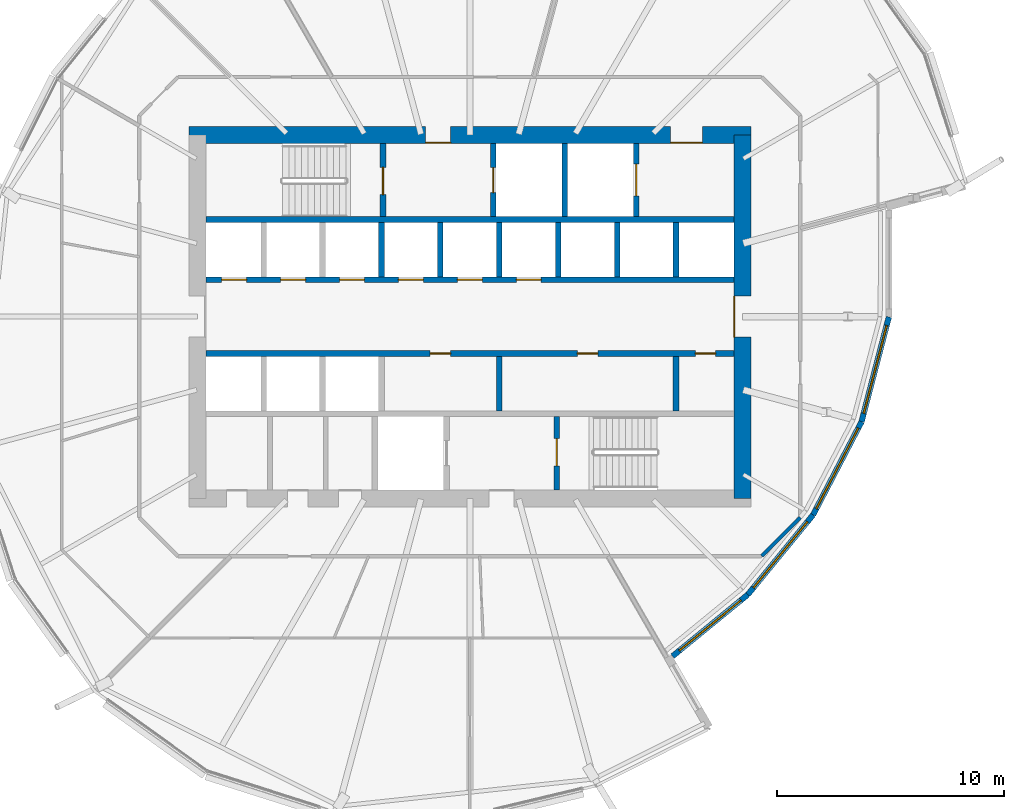
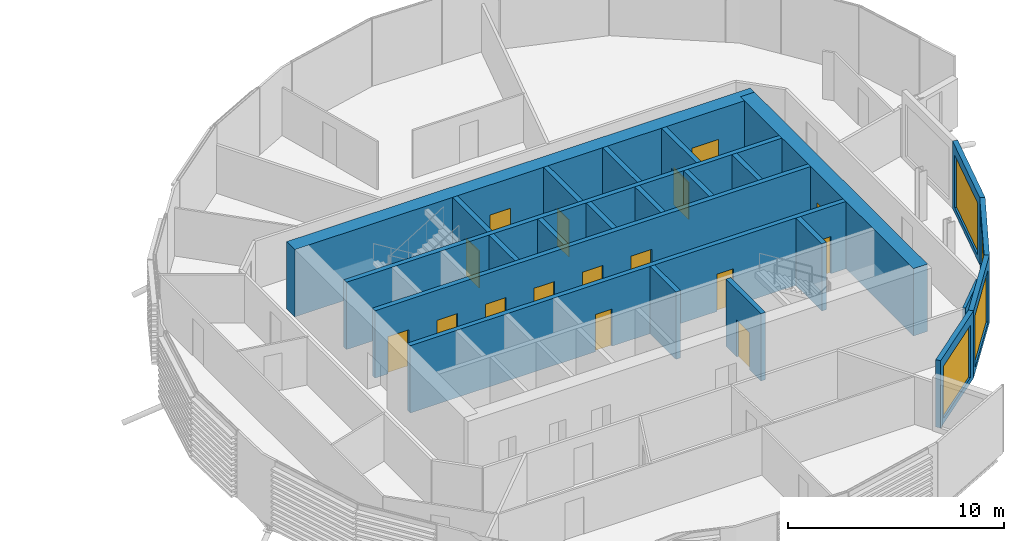
# One storey, part 25 of 38: 23 walls, 16 doors, 4 windows, 20 openings.
"""IFC4 building model written with IfcOpenShell, lengths in metres."""

from ifc_helpers import new_model, si_unit, direction, frame, frame_2d, origin, place, context, subcontext, project, spatial, rectangle, extrude, material, layer, layer_set, type_object, element, fill, save


model = new_model("IFC4")

# Units and contexts
model_context = context("Model", 3, precision=1e-05, world=origin(), true_north=direction((0.0, 1.0)))
body_context = subcontext(model_context, "Body", "Model", "MODEL_VIEW")
ifc_project = project(units=[si_unit("LENGTHUNIT", "METRE"), si_unit("AREAUNIT", "SQUARE_METRE"), si_unit("VOLUMEUNIT", "CUBIC_METRE"), si_unit("PLANEANGLEUNIT", "RADIAN"), si_unit("MASSUNIT", "GRAM", prefix="KILO")], contexts=[model_context])

# Site, building, storey
site_placement = place(None, origin())
site = spatial("IfcSite", under=ifc_project, at=site_placement, CompositionType="ELEMENT")
building_placement = place(site_placement, origin())
building = spatial("IfcBuilding", under=site, at=building_placement, Name="Rimbun Link Towers", CompositionType="ELEMENT")
storey_placement = place(building_placement, frame((0.0, 0.0, 108.199951171875)))
storey = spatial("IfcBuildingStorey", under=building, at=storey_placement, Name="L26", CompositionType="ELEMENT", Elevation=108.199951171875)

# Wall, opening, window
ifc_material_1 = material(Name="Dark enamelled glass spandrel on insulated aluminium backpan", Category="aluminium")
ifc_layer_1 = layer(ifc_material_1, 0.25)
ifc_layer_set_1 = layer_set([ifc_layer_1], Name="CS dark enamelled spandrel wall 250")
wall_type_1 = type_object("IfcWallType", Name="CS dark enamelled spandrel wall 250", PredefinedType="STANDARD", material=ifc_layer_set_1)
wall_1_placement = place(storey_placement, frame((43.99267578125, -12.24267578125, 0.0), z_axis=(0.0, 0.0, 1.0), x_axis=(-0.773876104607, -0.633337015117, 0.0)))
wall_1 = element("IfcWall", 1, at=wall_1_placement, inside=storey, type_object=wall_type_1, Name="Crease spandrel wall", PredefinedType="STANDARD", context=body_context, shape_type="SweptSolid", body=[
    extrude(rectangle(XDim=4.287353515625, YDim=0.25, at=frame_2d((2.1435546875, 0.0))), origin(), (0.0, 0.0, 1.0), 3.800048828125),
])
opening_1_placement = place(wall_1_placement, frame((0.393798828125, 0.0, 0.300048828125)))
opening_1 = element("IfcOpeningElement", 2, at=opening_1_placement, cuts=wall_1, Name="Opening WR35H295", PredefinedType="OPENING", context=body_context, shape_type="SweptSolid", body=[
    extrude(rectangle(XDim=3.5, YDim=2.949951171875, at=frame_2d((1.75, 1.47509765625))), frame((0.0, 0.135009765625, 0.0), z_axis=(0.0, -1.0, 0.0), x_axis=(1.0, 0.0, 0.0)), (0.0, 0.0, 1.0), 0.27001953125),
])
ifc_material_2 = material(Name="Aluminium framed fixed window, dark tinted low-e glass", Category="aluminium")
window_type_1 = type_object("IfcWindowType", Name="WR ribbon window 3500X2950", PartitioningType="SINGLE_PANEL", PredefinedType="WINDOW", material=ifc_material_2)
window_1_placement = place(opening_1_placement, origin())
window_1 = element("IfcWindow", 3, at=window_1_placement, inside=storey, type_object=window_type_1, Name="Crease ribbon window", OverallHeight=2.949951171875, OverallWidth=3.5, PartitioningType="SINGLE_PANEL", PredefinedType="WINDOW", context=body_context, shape_type="SweptSolid", body=[
    extrude(rectangle(XDim=3.5, YDim=2.949951171875, at=frame_2d((1.75, 1.47509765625))), frame((0.0, 0.030029296875, 0.0), z_axis=(0.0, -1.0, 0.0), x_axis=(1.0, 0.0, 0.0)), (0.0, 0.0, 1.0), 0.06005859375),
])
fill(opening_1, window_1)

wall_2_placement = place(storey_placement, frame((46.86376953125, -8.734619140625, 0.0), z_axis=(0.0, 0.0, 1.0), x_axis=(-0.6333521617, -0.773863708459, 0.0)))
wall_2 = element("IfcWall", 4, at=wall_2_placement, inside=storey, type_object=wall_type_1, Name="Crease spandrel wall", PredefinedType="STANDARD", context=body_context, shape_type="SweptSolid", body=[
    extrude(rectangle(XDim=4.533203125, YDim=0.25, at=frame_2d((2.2666015625, 0.0))), origin(), (0.0, 0.0, 1.0), 3.800048828125),
])
opening_2_placement = place(wall_2_placement, frame((0.3916015625, 0.0, 0.300048828125)))
opening_2 = element("IfcOpeningElement", 5, at=opening_2_placement, cuts=wall_2, Name="Opening WR38H295", PredefinedType="OPENING", context=body_context, shape_type="SweptSolid", body=[
    extrude(rectangle(XDim=3.75, YDim=2.949951171875, at=frame_2d((1.875, 1.47509765625))), frame((0.0, 0.135009765625, 0.0), z_axis=(0.0, -1.0, 0.0), x_axis=(1.0, 0.0, 0.0)), (0.0, 0.0, 1.0), 0.27001953125),
])
ifc_material_3 = material(Name="Aluminium framed fixed window, dark tinted low-e glass", Category="aluminium")
window_type_2 = type_object("IfcWindowType", Name="WR ribbon window 3750X2950", PartitioningType="SINGLE_PANEL", PredefinedType="WINDOW", material=ifc_material_3)
window_2_placement = place(opening_2_placement, origin())
window_2 = element("IfcWindow", 6, at=window_2_placement, inside=storey, type_object=window_type_2, Name="Crease ribbon window", OverallHeight=2.949951171875, OverallWidth=3.75, PartitioningType="SINGLE_PANEL", PredefinedType="WINDOW", context=body_context, shape_type="SweptSolid", body=[
    extrude(rectangle(XDim=3.75, YDim=2.949951171875, at=frame_2d((1.875, 1.47509765625))), frame((0.0, 0.030029296875, 0.0), z_axis=(0.0, -1.0, 0.0), x_axis=(1.0, 0.0, 0.0)), (0.0, 0.0, 1.0), 0.06005859375),
])
fill(opening_2, window_2)

wall_3_placement = place(storey_placement, frame((48.9990234375, -4.6357421875, 0.0), z_axis=(0.0, 0.0, 1.0), x_axis=(-0.462006269237, -0.886876658384, 0.0)))
wall_3 = element("IfcWall", 7, at=wall_3_placement, inside=storey, type_object=wall_type_1, Name="Crease spandrel wall", PredefinedType="STANDARD", context=body_context, shape_type="SweptSolid", body=[
    extrude(rectangle(XDim=4.62158203125, YDim=0.25, at=frame_2d((2.310791015625, 0.0))), origin(), (0.0, 0.0, 1.0), 3.800048828125),
])
opening_3_placement = place(wall_3_placement, frame((0.310791015625, 0.0, 0.300048828125)))
opening_3 = element("IfcOpeningElement", 8, at=opening_3_placement, cuts=wall_3, Name="Opening WR40H295", PredefinedType="OPENING", context=body_context, shape_type="SweptSolid", body=[
    extrude(rectangle(XDim=4.0, YDim=2.949951171875, at=frame_2d((2.0, 1.47509765625))), frame((0.0, 0.135009765625, 0.0), z_axis=(0.0, -1.0, 0.0), x_axis=(1.0, 0.0, 0.0)), (0.0, 0.0, 1.0), 0.27001953125),
])
ifc_material_4 = material(Name="Aluminium framed fixed window, dark tinted low-e glass", Category="aluminium")
window_type_3 = type_object("IfcWindowType", Name="WR ribbon window 4000X2950", PartitioningType="SINGLE_PANEL", PredefinedType="WINDOW", material=ifc_material_4)
window_3_placement = place(opening_3_placement, origin())
window_3 = element("IfcWindow", 9, at=window_3_placement, inside=storey, type_object=window_type_3, Name="Crease ribbon window", OverallHeight=2.949951171875, OverallWidth=4.0, PartitioningType="SINGLE_PANEL", PredefinedType="WINDOW", context=body_context, shape_type="SweptSolid", body=[
    extrude(rectangle(XDim=4.0, YDim=2.949951171875, at=frame_2d((2.0, 1.47509765625))), frame((0.0, 0.030029296875, 0.0), z_axis=(0.0, -1.0, 0.0), x_axis=(1.0, 0.0, 0.0)), (0.0, 0.0, 1.0), 0.06005859375),
])
fill(opening_3, window_3)

wall_4_placement = place(storey_placement, frame((50.20458984375, -0.01611328125, 0.0), z_axis=(0.0, 0.0, 1.0), x_axis=(-0.252509325017, -0.967594460908, 0.0)))
wall_4 = element("IfcWall", 10, at=wall_4_placement, inside=storey, type_object=wall_type_1, Name="Crease spandrel wall", PredefinedType="STANDARD", context=body_context, shape_type="SweptSolid", body=[
    extrude(rectangle(XDim=4.7744140625, YDim=0.25, at=frame_2d((2.38720703125, 0.0))), origin(), (0.0, 0.0, 1.0), 3.800048828125),
])
opening_4_placement = place(wall_4_placement, frame((0.38720703125, 0.0, 0.300048828125)))
opening_4 = element("IfcOpeningElement", 11, at=opening_4_placement, cuts=wall_4, Name="Opening WR40H295", PredefinedType="OPENING", context=body_context, shape_type="SweptSolid", body=[
    extrude(rectangle(XDim=4.0, YDim=2.949951171875, at=frame_2d((2.0, 1.47509765625))), frame((0.0, 0.135009765625, 0.0), z_axis=(0.0, -1.0, 0.0), x_axis=(1.0, 0.0, 0.0)), (0.0, 0.0, 1.0), 0.27001953125),
])
window_4_placement = place(opening_4_placement, origin())
window_4 = element("IfcWindow", 12, at=window_4_placement, inside=storey, type_object=window_type_3, Name="Crease ribbon window", OverallHeight=2.949951171875, OverallWidth=4.0, PartitioningType="SINGLE_PANEL", PredefinedType="WINDOW", context=body_context, shape_type="SweptSolid", body=[
    extrude(rectangle(XDim=4.0, YDim=2.949951171875, at=frame_2d((2.0, 1.47509765625))), frame((0.0, 0.030029296875, 0.0), z_axis=(0.0, -1.0, 0.0), x_axis=(1.0, 0.0, 0.0)), (0.0, 0.0, 1.0), 0.06005859375),
])
fill(opening_4, window_4)

# Wall, openings, doors
ifc_material_5 = material(Name="Concrete C60/75", Category="concrete")
ifc_layer_2 = layer(ifc_material_5, 0.75)
ifc_layer_set_2 = layer_set([ifc_layer_2], Name="Core shear wall 750")
wall_type_2 = type_object("IfcWallType", Name="Core shear wall 750", PredefinedType="SHEAR", material=ifc_layer_set_2)
wall_5_placement = place(storey_placement, frame((19.375, 8.0, 0.0), z_axis=(0.0, 0.0, 1.0), x_axis=(1.0, 0.0, 0.0)))
wall_5 = element("IfcWall", 13, at=wall_5_placement, inside=storey, type_object=wall_type_2, Name="L26 T2 core wall N", PredefinedType="SHEAR", context=body_context, shape_type="SweptSolid", body=[
    extrude(rectangle(XDim=24.75, YDim=0.75, at=frame_2d((12.375, 0.0))), origin(), (0.0, 0.0, 1.0), 3.800048828125),
])
opening_5_placement = place(wall_5_placement, frame((10.425048828125, 0.0, 0.0)))
opening_5 = element("IfcOpeningElement", 14, at=opening_5_placement, cuts=wall_5, Name="Opening C2DCF01N", PredefinedType="OPENING", context=body_context, shape_type="SweptSolid", body=[
    extrude(rectangle(XDim=1.10009765625, YDim=2.10009765625, at=frame_2d((0.550048828125, 1.050048828125))), frame((0.0, 0.385009765625, 0.0), z_axis=(0.0, -1.0, 0.0), x_axis=(1.0, 0.0, 0.0)), (0.0, 0.0, 1.0), 0.77001953125),
])
opening_6_placement = place(wall_5_placement, frame((21.21240234375, 0.0, 0.0)))
opening_6 = element("IfcOpeningElement", 15, at=opening_6_placement, cuts=wall_5, Name="Opening C2DSL02N", PredefinedType="OPENING", context=body_context, shape_type="SweptSolid", body=[
    extrude(rectangle(XDim=1.39990234375, YDim=2.10009765625, at=frame_2d((0.699951171875, 1.050048828125))), frame((0.0, 0.385009765625, 0.0), z_axis=(0.0, -1.0, 0.0), x_axis=(1.0, 0.0, 0.0)), (0.0, 0.0, 1.0), 0.77001953125),
])
ifc_material_6 = material(Name="Steel fire door set", Category="steel")
door_type_1 = type_object("IfcDoorType", Name="Core fire door single", OperationType="SINGLE_SWING_LEFT", PredefinedType="DOOR", material=ifc_material_6)
door_1_placement = place(opening_5_placement, origin())
door_1 = element("IfcDoor", 16, at=door_1_placement, inside=storey, type_object=door_type_1, Name="L26 T2 firefighting lobby n door", OperationType="SINGLE_SWING_RIGHT", OverallHeight=2.10009765625, OverallWidth=1.10009765625, PredefinedType="DOOR", context=body_context, shape_type="SweptSolid", body=[
    extrude(rectangle(XDim=1.10009765625, YDim=2.10009765625, at=frame_2d((0.550048828125, 1.050048828125))), frame((0.0, -0.3251953125, 0.0), z_axis=(0.0, -1.0, 0.0), x_axis=(1.0, 0.0, 0.0)), (0.0, 0.0, 1.0), 0.050048828125),
])
fill(opening_5, door_1)
ifc_material_7 = material(Name="Steel fire door set", Category="steel")
door_type_2 = type_object("IfcDoorType", Name="Service lobby door double", OperationType="DOUBLE_DOOR_SINGLE_SWING", PredefinedType="DOOR", material=ifc_material_7)
door_2_placement = place(opening_6_placement, origin())
door_2 = element("IfcDoor", 17, at=door_2_placement, inside=storey, type_object=door_type_2, Name="L26 T2 service lobby door", OperationType="DOUBLE_DOOR_SINGLE_SWING", OverallHeight=2.10009765625, OverallWidth=1.39990234375, PredefinedType="DOOR", context=body_context, shape_type="SweptSolid", body=[
    extrude(rectangle(XDim=1.39990234375, YDim=2.10009765625, at=frame_2d((0.699951171875, 1.050048828125))), frame((0.0, -0.3251953125, 0.0), z_axis=(0.0, -1.0, 0.0), x_axis=(1.0, 0.0, 0.0)), (0.0, 0.0, 1.0), 0.050048828125),
])
fill(opening_6, door_2)

# Wall, opening, door
wall_6_placement = place(storey_placement, frame((43.75, -8.0, 0.0), z_axis=(0.0, 0.0, 1.0), x_axis=(0.0, 1.0, 0.0)))
wall_6 = element("IfcWall", 18, at=wall_6_placement, inside=storey, type_object=wall_type_2, Name="L26 T2 core wall E", PredefinedType="SHEAR", context=body_context, shape_type="SweptSolid", body=[
    extrude(rectangle(XDim=16.0, YDim=0.75, at=frame_2d((8.0, 0.0))), origin(), (0.0, 0.0, 1.0), 3.800048828125),
])
opening_7_placement = place(wall_6_placement, frame((7.10009765625, 0.0, 0.0)))
opening_7 = element("IfcOpeningElement", 19, at=opening_7_placement, cuts=wall_6, Name="Opening C2DCL01E", PredefinedType="OPENING", context=body_context, shape_type="SweptSolid", body=[
    extrude(rectangle(XDim=1.800048828125, YDim=2.10009765625, at=frame_2d((0.89990234375, 1.050048828125))), frame((0.0, 0.385009765625, 0.0), z_axis=(0.0, -1.0, 0.0), x_axis=(1.0, 0.0, 0.0)), (0.0, 0.0, 1.0), 0.77001953125),
])
ifc_material_8 = material(Name="Steel fire door set", Category="steel")
door_type_3 = type_object("IfcDoorType", Name="Core lobby door double", OperationType="DOUBLE_DOOR_SINGLE_SWING", PredefinedType="DOOR", material=ifc_material_8)
door_3_placement = place(opening_7_placement, origin())
door_3 = element("IfcDoor", 20, at=door_3_placement, inside=storey, type_object=door_type_3, Name="L26 T2 lift lobby door", OperationType="DOUBLE_DOOR_SINGLE_SWING", OverallHeight=2.10009765625, OverallWidth=1.800048828125, PredefinedType="DOOR", context=body_context, shape_type="SweptSolid", body=[
    extrude(rectangle(XDim=1.800048828125, YDim=2.10009765625, at=frame_2d((0.89990234375, 1.050048828125))), frame((0.0, 0.375, 0.0), z_axis=(0.0, -1.0, 0.0), x_axis=(1.0, 0.0, 0.0)), (0.0, 0.0, 1.0), 0.050048828125),
])
fill(opening_7, door_3)

# Walls
ifc_material_9 = material(Name="Plasterboard on steel stud, mineral wool", Category="steel")
ifc_layer_3 = layer(ifc_material_9, 0.14990234375)
ifc_layer_set_3 = layer_set([ifc_layer_3], Name="Corridor wall EI 30 150 mm")
wall_type_3 = type_object("IfcWallType", Name="Corridor wall EI 30 150 mm", PredefinedType="PARTITIONING", material=ifc_layer_set_3)
wall_7_placement = place(storey_placement, frame((44.601806640625, -10.550048828125, 0.0), z_axis=(0.0, 0.0, 1.0), x_axis=(0.707106781187, 0.707106781187, 0.0)))
element("IfcWall", 21, at=wall_7_placement, inside=storey, type_object=wall_type_3, Name="Corridor wall EI 30 150 mm", PredefinedType="PARTITIONING", context=body_context, shape_type="SweptSolid", body=[
    extrude(rectangle(XDim=2.401611328125, YDim=0.14990234375, at=frame_2d((1.20068359375, 0.0))), origin(), (0.0, 0.0, 1.0), 2.7021484375),
])
ifc_material_10 = material(Name="Concrete C60/75", Category="concrete")
ifc_layer_4 = layer(ifc_material_10, 0.25)
ifc_layer_set_4 = layer_set([ifc_layer_4], Name="Shaft wall 250")
wall_type_4 = type_object("IfcWallType", Name="Shaft wall 250", PredefinedType="SHEAR", material=ifc_layer_set_4)
wall_8_placement = place(storey_placement, frame((20.125, 4.27490234375, 0.0), z_axis=(0.0, 0.0, 1.0), x_axis=(1.0, 0.0, 0.0)))
element("IfcWall", 22, at=wall_8_placement, inside=storey, type_object=wall_type_4, Name="L26 T2 core wall BN", PredefinedType="SHEAR", context=body_context, shape_type="SweptSolid", body=[
    extrude(rectangle(XDim=23.25, YDim=0.25, at=frame_2d((11.625, 0.0))), origin(), (0.0, 0.0, 1.0), 3.800048828125),
])

# Wall, openings, doors
wall_9_placement = place(storey_placement, frame((20.125, 1.625, 0.0), z_axis=(0.0, 0.0, 1.0), x_axis=(1.0, 0.0, 0.0)))
wall_9 = element("IfcWall", 23, at=wall_9_placement, inside=storey, type_object=wall_type_4, Name="L26 T2 core wall FN", PredefinedType="SHEAR", context=body_context, shape_type="SweptSolid", body=[
    extrude(rectangle(XDim=23.25, YDim=0.25, at=frame_2d((11.625, 0.0))), origin(), (0.0, 0.0, 1.0), 3.800048828125),
])
opening_8_placement = place(wall_9_placement, frame((0.697265625, 0.0, 0.0)))
opening_8 = element("IfcOpeningElement", 24, at=opening_8_placement, cuts=wall_9, Name="Opening LD-T2-LR1", PredefinedType="OPENING", context=body_context, shape_type="SweptSolid", body=[
    extrude(rectangle(XDim=1.10009765625, YDim=2.10009765625, at=frame_2d((0.550048828125, 1.050048828125))), frame((0.0, 0.135009765625, 0.0), z_axis=(0.0, -1.0, 0.0), x_axis=(1.0, 0.0, 0.0)), (0.0, 0.0, 1.0), 0.27001953125),
])
opening_9_placement = place(wall_9_placement, frame((3.291748046875, 0.0, 0.0)))
opening_9 = element("IfcOpeningElement", 25, at=opening_9_placement, cuts=wall_9, Name="Opening LD-T2-LR2", PredefinedType="OPENING", context=body_context, shape_type="SweptSolid", body=[
    extrude(rectangle(XDim=1.10009765625, YDim=2.10009765625, at=frame_2d((0.550048828125, 1.050048828125))), frame((0.0, 0.135009765625, 0.0), z_axis=(0.0, -1.0, 0.0), x_axis=(1.0, 0.0, 0.0)), (0.0, 0.0, 1.0), 0.27001953125),
])
opening_10_placement = place(wall_9_placement, frame((5.885986328125, 0.0, 0.0)))
opening_10 = element("IfcOpeningElement", 26, at=opening_10_placement, cuts=wall_9, Name="Opening LD-T2-LR3", PredefinedType="OPENING", context=body_context, shape_type="SweptSolid", body=[
    extrude(rectangle(XDim=1.10009765625, YDim=2.10009765625, at=frame_2d((0.550048828125, 1.050048828125))), frame((0.0, 0.135009765625, 0.0), z_axis=(0.0, -1.0, 0.0), x_axis=(1.0, 0.0, 0.0)), (0.0, 0.0, 1.0), 0.27001953125),
])
opening_11_placement = place(wall_9_placement, frame((8.480712890625, 0.0, 0.0)))
opening_11 = element("IfcOpeningElement", 27, at=opening_11_placement, cuts=wall_9, Name="Opening LD-T2-LR4", PredefinedType="OPENING", context=body_context, shape_type="SweptSolid", body=[
    extrude(rectangle(XDim=1.10009765625, YDim=2.10009765625, at=frame_2d((0.550048828125, 1.050048828125))), frame((0.0, 0.135009765625, 0.0), z_axis=(0.0, -1.0, 0.0), x_axis=(1.0, 0.0, 0.0)), (0.0, 0.0, 1.0), 0.27001953125),
])
opening_12_placement = place(wall_9_placement, frame((11.074951171875, 0.0, 0.0)))
opening_12 = element("IfcOpeningElement", 28, at=opening_12_placement, cuts=wall_9, Name="Opening LD-T2-LR5", PredefinedType="OPENING", context=body_context, shape_type="SweptSolid", body=[
    extrude(rectangle(XDim=1.10009765625, YDim=2.10009765625, at=frame_2d((0.550048828125, 1.050048828125))), frame((0.0, 0.135009765625, 0.0), z_axis=(0.0, -1.0, 0.0), x_axis=(1.0, 0.0, 0.0)), (0.0, 0.0, 1.0), 0.27001953125),
])
opening_13_placement = place(wall_9_placement, frame((13.66943359375, 0.0, 0.0)))
opening_13 = element("IfcOpeningElement", 29, at=opening_13_placement, cuts=wall_9, Name="Opening LD-T2-LR6", PredefinedType="OPENING", context=body_context, shape_type="SweptSolid", body=[
    extrude(rectangle(XDim=1.10009765625, YDim=2.10009765625, at=frame_2d((0.550048828125, 1.050048828125))), frame((0.0, 0.135009765625, 0.0), z_axis=(0.0, -1.0, 0.0), x_axis=(1.0, 0.0, 0.0)), (0.0, 0.0, 1.0), 0.27001953125),
])
ifc_material_11 = material(Name="Stainless steel grade 316", Category="steel")
door_type_4 = type_object("IfcDoorType", Name="Lift landing door", OperationType="DOUBLE_DOOR_SLIDING", PredefinedType="DOOR", material=ifc_material_11)
door_4_placement = place(opening_8_placement, origin())
door_4 = element("IfcDoor", 30, at=door_4_placement, inside=storey, type_object=door_type_4, Name="L26 T2 lift LR1 landing door", OperationType="DOUBLE_DOOR_SLIDING", OverallHeight=2.10009765625, OverallWidth=1.10009765625, PredefinedType="DOOR", context=body_context, shape_type="SweptSolid", body=[
    extrude(rectangle(XDim=1.10009765625, YDim=2.10009765625, at=frame_2d((0.550048828125, 1.050048828125))), frame((0.0, 0.02490234375, 0.0), z_axis=(0.0, -1.0, 0.0), x_axis=(1.0, 0.0, 0.0)), (0.0, 0.0, 1.0), 0.050048828125),
])
fill(opening_8, door_4)
door_5_placement = place(opening_9_placement, origin())
door_5 = element("IfcDoor", 31, at=door_5_placement, inside=storey, type_object=door_type_4, Name="L26 T2 lift LR2 landing door", OperationType="DOUBLE_DOOR_SLIDING", OverallHeight=2.10009765625, OverallWidth=1.10009765625, PredefinedType="DOOR", context=body_context, shape_type="SweptSolid", body=[
    extrude(rectangle(XDim=1.10009765625, YDim=2.10009765625, at=frame_2d((0.550048828125, 1.050048828125))), frame((0.0, 0.02490234375, 0.0), z_axis=(0.0, -1.0, 0.0), x_axis=(1.0, 0.0, 0.0)), (0.0, 0.0, 1.0), 0.050048828125),
])
fill(opening_9, door_5)
door_6_placement = place(opening_10_placement, origin())
door_6 = element("IfcDoor", 32, at=door_6_placement, inside=storey, type_object=door_type_4, Name="L26 T2 lift LR3 landing door", OperationType="DOUBLE_DOOR_SLIDING", OverallHeight=2.10009765625, OverallWidth=1.10009765625, PredefinedType="DOOR", context=body_context, shape_type="SweptSolid", body=[
    extrude(rectangle(XDim=1.10009765625, YDim=2.10009765625, at=frame_2d((0.550048828125, 1.050048828125))), frame((0.0, 0.02490234375, 0.0), z_axis=(0.0, -1.0, 0.0), x_axis=(1.0, 0.0, 0.0)), (0.0, 0.0, 1.0), 0.050048828125),
])
fill(opening_10, door_6)
door_7_placement = place(opening_11_placement, origin())
door_7 = element("IfcDoor", 33, at=door_7_placement, inside=storey, type_object=door_type_4, Name="L26 T2 lift LR4 landing door", OperationType="DOUBLE_DOOR_SLIDING", OverallHeight=2.10009765625, OverallWidth=1.10009765625, PredefinedType="DOOR", context=body_context, shape_type="SweptSolid", body=[
    extrude(rectangle(XDim=1.10009765625, YDim=2.10009765625, at=frame_2d((0.550048828125, 1.050048828125))), frame((0.0, 0.02490234375, 0.0), z_axis=(0.0, -1.0, 0.0), x_axis=(1.0, 0.0, 0.0)), (0.0, 0.0, 1.0), 0.050048828125),
])
fill(opening_11, door_7)
door_8_placement = place(opening_12_placement, origin())
door_8 = element("IfcDoor", 34, at=door_8_placement, inside=storey, type_object=door_type_4, Name="L26 T2 lift LR5 landing door", OperationType="DOUBLE_DOOR_SLIDING", OverallHeight=2.10009765625, OverallWidth=1.10009765625, PredefinedType="DOOR", context=body_context, shape_type="SweptSolid", body=[
    extrude(rectangle(XDim=1.10009765625, YDim=2.10009765625, at=frame_2d((0.550048828125, 1.050048828125))), frame((0.0, 0.02490234375, 0.0), z_axis=(0.0, -1.0, 0.0), x_axis=(1.0, 0.0, 0.0)), (0.0, 0.0, 1.0), 0.050048828125),
])
fill(opening_12, door_8)
door_9_placement = place(opening_13_placement, origin())
door_9 = element("IfcDoor", 35, at=door_9_placement, inside=storey, type_object=door_type_4, Name="L26 T2 lift LR6 landing door", OperationType="DOUBLE_DOOR_SLIDING", OverallHeight=2.10009765625, OverallWidth=1.10009765625, PredefinedType="DOOR", context=body_context, shape_type="SweptSolid", body=[
    extrude(rectangle(XDim=1.10009765625, YDim=2.10009765625, at=frame_2d((0.550048828125, 1.050048828125))), frame((0.0, 0.02490234375, 0.0), z_axis=(0.0, -1.0, 0.0), x_axis=(1.0, 0.0, 0.0)), (0.0, 0.0, 1.0), 0.050048828125),
])
fill(opening_13, door_9)

wall_10_placement = place(storey_placement, frame((20.125, -1.625, 0.0), z_axis=(0.0, 0.0, 1.0), x_axis=(1.0, 0.0, 0.0)))
wall_10 = element("IfcWall", 36, at=wall_10_placement, inside=storey, type_object=wall_type_4, Name="L26 T2 core wall FS", PredefinedType="SHEAR", context=body_context, shape_type="SweptSolid", body=[
    extrude(rectangle(XDim=23.25, YDim=0.25, at=frame_2d((11.625, 0.0))), origin(), (0.0, 0.0, 1.0), 3.800048828125),
])
opening_14_placement = place(wall_10_placement, frame((9.877685546875, 0.0, 0.0)))
opening_14 = element("IfcOpeningElement", 37, at=opening_14_placement, cuts=wall_10, Name="Opening C2DRS01FS", PredefinedType="OPENING", context=body_context, shape_type="SweptSolid", body=[
    extrude(rectangle(XDim=0.89990234375, YDim=2.10009765625, at=frame_2d((0.449951171875, 1.050048828125))), frame((0.0, 0.135009765625, 0.0), z_axis=(0.0, -1.0, 0.0), x_axis=(1.0, 0.0, 0.0)), (0.0, 0.0, 1.0), 0.27001953125),
])
opening_15_placement = place(wall_10_placement, frame((16.364013671875, 0.0, 0.0)))
opening_15 = element("IfcOpeningElement", 38, at=opening_15_placement, cuts=wall_10, Name="Opening C2DRS02FS", PredefinedType="OPENING", context=body_context, shape_type="SweptSolid", body=[
    extrude(rectangle(XDim=0.89990234375, YDim=2.10009765625, at=frame_2d((0.449951171875, 1.050048828125))), frame((0.0, 0.135009765625, 0.0), z_axis=(0.0, -1.0, 0.0), x_axis=(1.0, 0.0, 0.0)), (0.0, 0.0, 1.0), 0.27001953125),
])
opening_16_placement = place(wall_10_placement, frame((21.552734375, 0.0, 0.0)))
opening_16 = element("IfcOpeningElement", 39, at=opening_16_placement, cuts=wall_10, Name="Opening C2DRS03FS", PredefinedType="OPENING", context=body_context, shape_type="SweptSolid", body=[
    extrude(rectangle(XDim=0.89990234375, YDim=2.10009765625, at=frame_2d((0.449951171875, 1.050048828125))), frame((0.0, 0.135009765625, 0.0), z_axis=(0.0, -1.0, 0.0), x_axis=(1.0, 0.0, 0.0)), (0.0, 0.0, 1.0), 0.27001953125),
])
ifc_material_12 = material(Name="Steel fire door set", Category="steel")
door_type_5 = type_object("IfcDoorType", Name="Core riser door", OperationType="SINGLE_SWING_LEFT", PredefinedType="DOOR", material=ifc_material_12)
door_10_placement = place(opening_14_placement, origin())
door_10 = element("IfcDoor", 40, at=door_10_placement, inside=storey, type_object=door_type_5, Name="L26 T2 pantry door", OperationType="SINGLE_SWING_LEFT", OverallHeight=2.10009765625, OverallWidth=0.89990234375, PredefinedType="DOOR", context=body_context, shape_type="SweptSolid", body=[
    extrude(rectangle(XDim=0.89990234375, YDim=2.10009765625, at=frame_2d((0.449951171875, 1.050048828125))), frame((0.0, 0.02490234375, 0.0), z_axis=(0.0, -1.0, 0.0), x_axis=(1.0, 0.0, 0.0)), (0.0, 0.0, 1.0), 0.050048828125),
])
fill(opening_14, door_10)
door_11_placement = place(opening_15_placement, origin())
door_11 = element("IfcDoor", 41, at=door_11_placement, inside=storey, type_object=door_type_5, Name="L26 T2 wellness room door", OperationType="SINGLE_SWING_RIGHT", OverallHeight=2.10009765625, OverallWidth=0.89990234375, PredefinedType="DOOR", context=body_context, shape_type="SweptSolid", body=[
    extrude(rectangle(XDim=0.89990234375, YDim=2.10009765625, at=frame_2d((0.449951171875, 1.050048828125))), frame((0.0, 0.02490234375, 0.0), z_axis=(0.0, -1.0, 0.0), x_axis=(1.0, 0.0, 0.0)), (0.0, 0.0, 1.0), 0.050048828125),
])
fill(opening_15, door_11)
door_12_placement = place(opening_16_placement, origin())
door_12 = element("IfcDoor", 42, at=door_12_placement, inside=storey, type_object=door_type_5, Name="L26 T2 staff store door", OperationType="SINGLE_SWING_LEFT", OverallHeight=2.10009765625, OverallWidth=0.89990234375, PredefinedType="DOOR", context=body_context, shape_type="SweptSolid", body=[
    extrude(rectangle(XDim=0.89990234375, YDim=2.10009765625, at=frame_2d((0.449951171875, 1.050048828125))), frame((0.0, 0.02490234375, 0.0), z_axis=(0.0, -1.0, 0.0), x_axis=(1.0, 0.0, 0.0)), (0.0, 0.0, 1.0), 0.050048828125),
])
fill(opening_16, door_12)

# Walls
for number, where, z_axis, x_axis, name in (
    (43, (27.8583984375, 1.75, 0.0), (0.0, 0.0, 1.0), (0.0, 1.0, 0.0), "L26 T2 core wall DN2"),
    (44, (30.452880859375, 1.75, 0.0), (0.0, 0.0, 1.0), (0.0, 1.0, 0.0), "L26 T2 core wall DN3"),
    (45, (33.047119140625, 1.75, 0.0), (0.0, 0.0, 1.0), (0.0, 1.0, 0.0), "L26 T2 core wall DN4"),
    (46, (35.6416015625, 1.75, 0.0), (0.0, 0.0, 1.0), (0.0, 1.0, 0.0), "L26 T2 core wall DN5"),
    (47, (38.236083984375, 1.75, 0.0), (0.0, 0.0, 1.0), (0.0, 1.0, 0.0), "L26 T2 core wall DN6"),
    (48, (40.83056640625, 1.75, 0.0), (0.0, 0.0, 1.0), (0.0, 1.0, 0.0), "L26 T2 core wall DN7"),
    (49, (33.047119140625, -4.14990234375, 0.0), (0.0, 0.0, 1.0), (0.0, 1.0, 0.0), "L26 T2 core wall DS4"),
    (50, (40.83056640625, -4.14990234375, 0.0), (0.0, 0.0, 1.0), (0.0, 1.0, 0.0), "L26 T2 core wall DS7"),
):
    element("IfcWall", number, at=place(storey_placement, frame(where, z_axis=z_axis, x_axis=x_axis)), inside=storey, type_object=wall_type_4, Name=name, PredefinedType="SHEAR", context=body_context, shape_type="SweptSolid", body=[
        extrude(rectangle(XDim=2.39990234375, YDim=0.25, at=frame_2d((1.199951171875, 0.0))), origin(), (0.0, 0.0, 1.0), 3.800048828125),
    ])

# Wall, opening, door
wall_11_placement = place(storey_placement, frame((27.925048828125, 4.39990234375, 0.0), z_axis=(0.0, 0.0, 1.0), x_axis=(0.0, 1.0, 0.0)))
wall_11 = element("IfcWall", 51, at=wall_11_placement, inside=storey, type_object=wall_type_4, Name="L26 T2 core wall A1", PredefinedType="SHEAR", context=body_context, shape_type="SweptSolid", body=[
    extrude(rectangle(XDim=3.22509765625, YDim=0.25, at=frame_2d((1.612548828125, 0.0))), origin(), (0.0, 0.0, 1.0), 3.800048828125),
])
opening_17_placement = place(wall_11_placement, frame((0.97509765625, 0.0, 0.0)))
opening_17 = element("IfcOpeningElement", 52, at=opening_17_placement, cuts=wall_11, Name="Opening C2DST01A1", PredefinedType="OPENING", context=body_context, shape_type="SweptSolid", body=[
    extrude(rectangle(XDim=1.199951171875, YDim=2.10009765625, at=frame_2d((0.60009765625, 1.050048828125))), frame((0.0, 0.135009765625, 0.0), z_axis=(0.0, -1.0, 0.0), x_axis=(1.0, 0.0, 0.0)), (0.0, 0.0, 1.0), 0.27001953125),
])
ifc_material_13 = material(Name="Steel fire door set", Category="steel")
door_type_6 = type_object("IfcDoorType", Name="Stair door", OperationType="SINGLE_SWING_LEFT", PredefinedType="DOOR", material=ifc_material_13)
door_13_placement = place(opening_17_placement, origin())
door_13 = element("IfcDoor", 53, at=door_13_placement, inside=storey, type_object=door_type_6, Name="L26 T2 stair a door", OperationType="SINGLE_SWING_RIGHT", OverallHeight=2.10009765625, OverallWidth=1.199951171875, PredefinedType="DOOR", context=body_context, shape_type="SweptSolid", body=[
    extrude(rectangle(XDim=1.199951171875, YDim=2.10009765625, at=frame_2d((0.60009765625, 1.050048828125))), frame((0.0, 0.02490234375, 0.0), z_axis=(0.0, -1.0, 0.0), x_axis=(1.0, 0.0, 0.0)), (0.0, 0.0, 1.0), 0.050048828125),
])
fill(opening_17, door_13)

wall_12_placement = place(storey_placement, frame((32.77490234375, 4.39990234375, 0.0), z_axis=(0.0, 0.0, 1.0), x_axis=(0.0, 1.0, 0.0)))
wall_12 = element("IfcWall", 54, at=wall_12_placement, inside=storey, type_object=wall_type_4, Name="L26 T2 core wall A2", PredefinedType="SHEAR", context=body_context, shape_type="SweptSolid", body=[
    extrude(rectangle(XDim=3.22509765625, YDim=0.25, at=frame_2d((1.612548828125, 0.0))), origin(), (0.0, 0.0, 1.0), 3.800048828125),
])
opening_18_placement = place(wall_12_placement, frame((1.0625, 0.0, 0.0)))
opening_18 = element("IfcOpeningElement", 55, at=opening_18_placement, cuts=wall_12, Name="Opening LD-T2-FF1", PredefinedType="OPENING", context=body_context, shape_type="SweptSolid", body=[
    extrude(rectangle(XDim=1.10009765625, YDim=2.10009765625, at=frame_2d((0.550048828125, 1.050048828125))), frame((0.0, 0.135009765625, 0.0), z_axis=(0.0, -1.0, 0.0), x_axis=(1.0, 0.0, 0.0)), (0.0, 0.0, 1.0), 0.27001953125),
])
door_14_placement = place(opening_18_placement, origin())
door_14 = element("IfcDoor", 56, at=door_14_placement, inside=storey, type_object=door_type_4, Name="L26 T2 lift FF1 landing door", OperationType="DOUBLE_DOOR_SLIDING", OverallHeight=2.10009765625, OverallWidth=1.10009765625, PredefinedType="DOOR", context=body_context, shape_type="SweptSolid", body=[
    extrude(rectangle(XDim=1.10009765625, YDim=2.10009765625, at=frame_2d((0.550048828125, 1.050048828125))), frame((0.0, 0.02490234375, 0.0), z_axis=(0.0, -1.0, 0.0), x_axis=(1.0, 0.0, 0.0)), (0.0, 0.0, 1.0), 0.050048828125),
])
fill(opening_18, door_14)

# Wall
wall_13_placement = place(storey_placement, frame((35.925048828125, 4.39990234375, 0.0), z_axis=(0.0, 0.0, 1.0), x_axis=(0.0, 1.0, 0.0)))
element("IfcWall", 57, at=wall_13_placement, inside=storey, type_object=wall_type_4, Name="L26 T2 core wall A3", PredefinedType="SHEAR", context=body_context, shape_type="SweptSolid", body=[
    extrude(rectangle(XDim=3.22509765625, YDim=0.25, at=frame_2d((1.612548828125, 0.0))), origin(), (0.0, 0.0, 1.0), 3.800048828125),
])

# Wall, opening, door
wall_14_placement = place(storey_placement, frame((39.074951171875, 4.39990234375, 0.0), z_axis=(0.0, 0.0, 1.0), x_axis=(0.0, 1.0, 0.0)))
wall_14 = element("IfcWall", 58, at=wall_14_placement, inside=storey, type_object=wall_type_4, Name="L26 T2 core wall A4", PredefinedType="SHEAR", context=body_context, shape_type="SweptSolid", body=[
    extrude(rectangle(XDim=3.22509765625, YDim=0.25, at=frame_2d((1.612548828125, 0.0))), origin(), (0.0, 0.0, 1.0), 3.800048828125),
])
opening_19_placement = place(wall_14_placement, frame((0.91259765625, 0.0, 0.0)))
opening_19 = element("IfcOpeningElement", 59, at=opening_19_placement, cuts=wall_14, Name="Opening LD-T2-GL1", PredefinedType="OPENING", context=body_context, shape_type="SweptSolid", body=[
    extrude(rectangle(XDim=1.39990234375, YDim=2.10009765625, at=frame_2d((0.699951171875, 1.050048828125))), frame((0.0, 0.135009765625, 0.0), z_axis=(0.0, -1.0, 0.0), x_axis=(1.0, 0.0, 0.0)), (0.0, 0.0, 1.0), 0.27001953125),
])
ifc_material_14 = material(Name="Stainless steel grade 316", Category="steel")
door_type_7 = type_object("IfcDoorType", Name="Goods lift landing door", OperationType="DOUBLE_DOOR_SLIDING", PredefinedType="DOOR", material=ifc_material_14)
door_15_placement = place(opening_19_placement, origin())
door_15 = element("IfcDoor", 60, at=door_15_placement, inside=storey, type_object=door_type_7, Name="L26 T2 lift GL1 landing door", OperationType="DOUBLE_DOOR_SLIDING", OverallHeight=2.10009765625, OverallWidth=1.39990234375, PredefinedType="DOOR", context=body_context, shape_type="SweptSolid", body=[
    extrude(rectangle(XDim=1.39990234375, YDim=2.10009765625, at=frame_2d((0.699951171875, 1.050048828125))), frame((0.0, 0.02490234375, 0.0), z_axis=(0.0, -1.0, 0.0), x_axis=(1.0, 0.0, 0.0)), (0.0, 0.0, 1.0), 0.050048828125),
])
fill(opening_19, door_15)

wall_15_placement = place(storey_placement, frame((35.574951171875, -4.39990234375, 0.0), z_axis=(0.0, 0.0, 1.0), x_axis=(0.0, -1.0, 0.0)))
wall_15 = element("IfcWall", 61, at=wall_15_placement, inside=storey, type_object=wall_type_4, Name="L26 T2 core wall B1", PredefinedType="SHEAR", context=body_context, shape_type="SweptSolid", body=[
    extrude(rectangle(XDim=3.22509765625, YDim=0.25, at=frame_2d((1.612548828125, 0.0))), origin(), (0.0, 0.0, 1.0), 3.800048828125),
])
opening_20_placement = place(wall_15_placement, frame((0.97509765625, 0.0, 0.0)))
opening_20 = element("IfcOpeningElement", 62, at=opening_20_placement, cuts=wall_15, Name="Opening C2DST01B1", PredefinedType="OPENING", context=body_context, shape_type="SweptSolid", body=[
    extrude(rectangle(XDim=1.199951171875, YDim=2.10009765625, at=frame_2d((0.60009765625, 1.050048828125))), frame((0.0, 0.135009765625, 0.0), z_axis=(0.0, -1.0, 0.0), x_axis=(1.0, 0.0, 0.0)), (0.0, 0.0, 1.0), 0.27001953125),
])
door_16_placement = place(opening_20_placement, origin())
door_16 = element("IfcDoor", 63, at=door_16_placement, inside=storey, type_object=door_type_6, Name="L26 T2 stair b door", OperationType="SINGLE_SWING_LEFT", OverallHeight=2.10009765625, OverallWidth=1.199951171875, PredefinedType="DOOR", context=body_context, shape_type="SweptSolid", body=[
    extrude(rectangle(XDim=1.199951171875, YDim=2.10009765625, at=frame_2d((0.60009765625, 1.050048828125))), frame((0.0, 0.02490234375, 0.0), z_axis=(0.0, -1.0, 0.0), x_axis=(1.0, 0.0, 0.0)), (0.0, 0.0, 1.0), 0.050048828125),
])
fill(opening_20, door_16)

save(model, "model.ifc")
